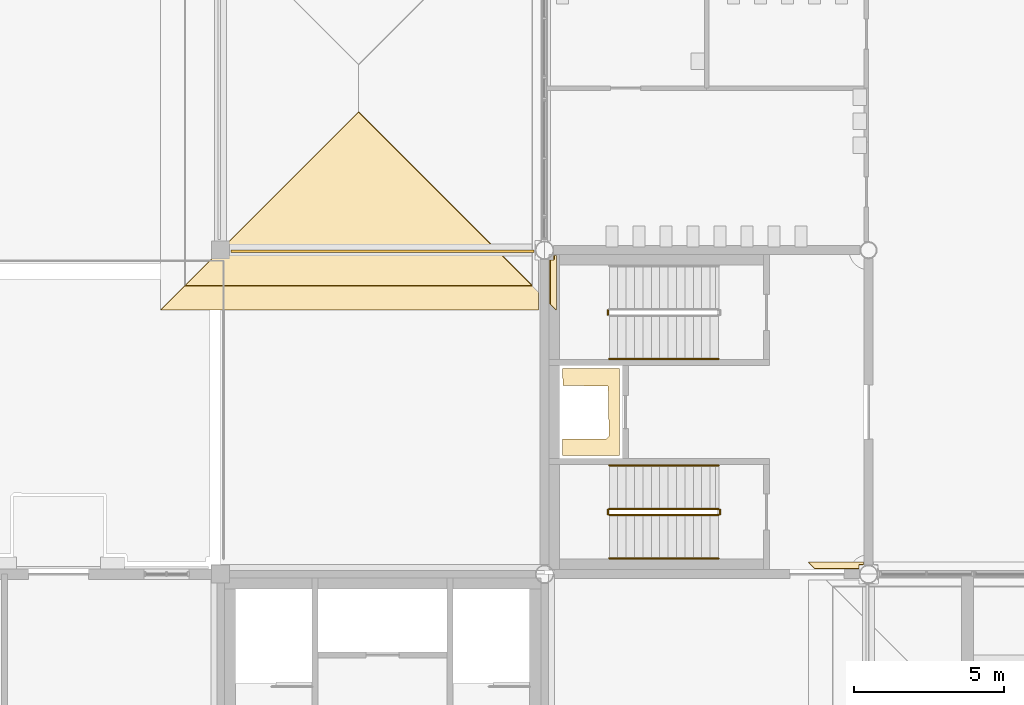
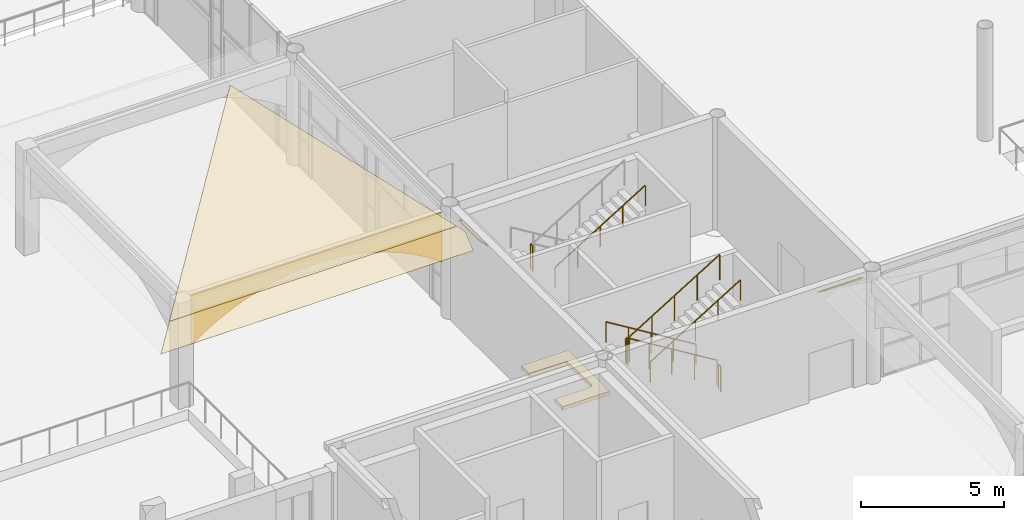
# One storey, part 78 of 91: 8 railings, 6 coverings.
"""IFC4 building model written with IfcOpenShell, lengths in metres."""

import ifcopenshell
import ifcopenshell.guid

model = None  # the IFC model being written
_history = None  # IfcOwnerHistory: only IFC2X3 demands one
_inside = {}  # id of a spatial element -> (the spatial element, [elements in it])
_under = {}  # id of a project, library or spatial element -> (it, [spatial elements below it])
_declared = {}  # id of a project -> (the project, [libraries it declares])
_typed = {}  # id of a type object -> (the type object, [elements of that type])
_made_of = {}  # id of a material, layer set ... -> (it, [elements and type objects made of it])


def new_model(schema):
    """Start an empty IFC model of exactly this schema.

    Asked for "IFC4X3", IfcOpenShell would pick the latest addendum, in which some entities
    have other attributes; the version numbers below select the first issue.
    IFC2X3 requires an IfcOwnerHistory on every rooted entity: one is made here for all.
    """
    global model, _history
    if schema == "IFC4X3":
        model = ifcopenshell.file(schema_version=(4, 3, 0, 0))
    else:
        model = ifcopenshell.file(schema=schema)
    _inside.clear()
    _under.clear()
    _declared.clear()
    _typed.clear()
    _made_of.clear()
    _history = None
    if model.schema == "IFC2X3":
        org = make("IfcOrganization", Name="unknown")
        user = make(
            "IfcPersonAndOrganization",
            ThePerson=make("IfcPerson", FamilyName="unknown"),
            TheOrganization=org,
        )
        app = make(
            "IfcApplication",
            ApplicationDeveloper=org,
            Version="unknown",
            ApplicationFullName="unknown",
            ApplicationIdentifier="unknown",
        )
        _history = make(
            "IfcOwnerHistory",
            OwningUser=user,
            OwningApplication=app,
            ChangeAction="ADDED",
            CreationDate=0,
        )
    return model


def make(cls, **values):
    """One entity of the class cls with the attributes given. An attribute that is None is left unset."""
    return model.create_entity(
        cls, **{name: value for name, value in values.items() if value is not None}
    )


def rooted(cls, **values):
    """An entity with a GlobalId (a new one), such as an element, a storey or a relation."""
    return make(cls, GlobalId=ifcopenshell.guid.new(), OwnerHistory=_history, **values)


def si_unit(unit_type, name, prefix=None):
    """IfcSIUnit, for example si_unit("LENGTHUNIT", "METRE", prefix="MILLI")."""
    return make("IfcSIUnit", UnitType=unit_type, Prefix=prefix, Name=name)


def assignment(units):
    """IfcUnitAssignment: the units of a project."""
    return None if units is None else make("IfcUnitAssignment", Units=units)


def point(xyz):
    """IfcCartesianPoint."""
    return None if xyz is None else make("IfcCartesianPoint", Coordinates=xyz)


def direction(xyz):
    """IfcDirection."""
    return None if xyz is None else make("IfcDirection", DirectionRatios=xyz)


def frame(location, z_axis=None, x_axis=None):
    """IfcAxis2Placement3D, a coordinate frame: its origin and axes. An axis left out is left unset."""
    return make(
        "IfcAxis2Placement3D",
        Location=point(location),
        Axis=direction(z_axis),
        RefDirection=direction(x_axis),
    )


def frame_2d(location, x_axis=None):
    """IfcAxis2Placement2D, a coordinate frame in the plane: its origin and x axis."""
    return make(
        "IfcAxis2Placement2D", Location=point(location), RefDirection=direction(x_axis)
    )


def origin():
    """The frame at (0, 0, 0) with its axes left unset."""
    return frame((0.0, 0.0, 0.0))


def origin_2d():
    """The frame at (0, 0) in the plane with its x axis left unset."""
    return frame_2d((0.0, 0.0))


def place(relative_to, where):
    """IfcLocalPlacement: puts the frame where relative to a parent placement (None: the world)."""
    return make(
        "IfcLocalPlacement", PlacementRelTo=relative_to, RelativePlacement=where
    )


def context(
    kind, dimensions, precision=None, world=None, true_north=None, identifier=None
):
    """IfcGeometricRepresentationContext, for example the 3D "Model" context."""
    return make(
        "IfcGeometricRepresentationContext",
        ContextIdentifier=identifier,
        ContextType=kind,
        CoordinateSpaceDimension=dimensions,
        Precision=precision,
        WorldCoordinateSystem=world,
        TrueNorth=true_north,
    )


def subcontext(parent, identifier, kind, view, scale=None):
    """IfcGeometricRepresentationSubContext, for example "Body" below "Model"."""
    return make(
        "IfcGeometricRepresentationSubContext",
        ContextIdentifier=identifier,
        ContextType=kind,
        ParentContext=parent,
        TargetScale=scale,
        TargetView=view,
    )


def project(units=None, contexts=None):
    """IfcProject with its units and contexts."""
    return rooted(
        "IfcProject",
        Name="project",
        RepresentationContexts=contexts,
        UnitsInContext=assignment(units),
    )


def spatial(cls, under=None, at=None, **own):
    """A site, building, storey or space (cls), placed at a placement, below another one or the project."""
    s = rooted(cls, ObjectPlacement=at, **own)
    if under is not None:
        _under.setdefault(under.id(), (under, []))[1].append(s)
    return s


def polyline(points):
    """IfcPolyline through the points."""
    return make("IfcPolyline", Points=[point(p) for p in points])


def profile(cls, at=None, kind="AREA", **sizes):
    """A parametric profile (cls). Its sizes go by their IFC names, for example OverallWidth=200.0."""
    return make(cls, ProfileType=kind, Position=at, **sizes)


def circle(**sizes):
    """IfcCircleProfileDef."""
    return profile("IfcCircleProfileDef", **sizes)


def outline(outer, holes=None, kind="AREA"):
    """IfcArbitraryClosedProfileDef: a profile drawn as a closed curve; with holes, ...WithVoids."""
    if holes is None:
        return make("IfcArbitraryClosedProfileDef", ProfileType=kind, OuterCurve=outer)
    return make(
        "IfcArbitraryProfileDefWithVoids",
        ProfileType=kind,
        OuterCurve=outer,
        InnerCurves=holes,
    )


def extrude(swept, where, along, depth):
    """IfcExtrudedAreaSolid: the profile swept, set in the frame where, extruded along a direction by depth."""
    return make(
        "IfcExtrudedAreaSolid",
        SweptArea=swept,
        Position=where,
        ExtrudedDirection=direction(along),
        Depth=depth,
    )


def shape(context_of_items, identifier, shape_type, items):
    """IfcShapeRepresentation: the items that make up one representation, for example the "Body"."""
    return make(
        "IfcShapeRepresentation",
        ContextOfItems=context_of_items,
        RepresentationIdentifier=identifier,
        RepresentationType=shape_type,
        Items=items,
    )


def material(Name=None, Category=None):
    """IfcMaterial."""
    return make("IfcMaterial", Name=Name, Category=Category)


def layer(
    of_material, thickness, ventilated=None, Name=None, Category=None, Priority=None
):
    """IfcMaterialLayer: one layer of a wall or slab, of a material (None: an air gap)."""
    return make(
        "IfcMaterialLayer",
        Material=of_material,
        LayerThickness=thickness,
        IsVentilated=ventilated,
        Name=Name,
        Category=Category,
        Priority=Priority,
    )


def layer_set(layers, Name=None):
    """IfcMaterialLayerSet."""
    return make("IfcMaterialLayerSet", MaterialLayers=layers, LayerSetName=Name)


def made_of(thing, what):
    """Note that an element or type object is made of a material, layer set ...; save() writes the relation."""
    if what is not None:
        _made_of.setdefault(what.id(), (what, []))[1].append(thing)
    return thing


def type_object(cls, material=None, **own):
    """A type object (cls), such as IfcWallType, which elements share."""
    return made_of(rooted(cls, **own), material)


def element(
    cls,
    number,
    at=None,
    inside=None,
    cuts=None,
    type_object=None,
    material=None,
    context=None,
    identifier="Body",
    shape_type=None,
    held_by="IfcProductDefinitionShape",
    body=None,
    shapes=None,
    **own,
):
    """One element of the class cls, such as IfcWall. Its Tag is "e" and its number.

    at: its placement. inside: the storey or other place that contains it. cuts: it is an
    opening in that element (IfcRelVoidsElement). A single representation is given by context,
    identifier, shape_type and body (its items); several are given by shapes. held_by: the class
    of the entity that holds the representations. save() writes the other relations.
    """
    e = rooted(cls, Tag="e%d" % number, ObjectPlacement=at, **own)
    if body is not None:
        shapes = [shape(context, identifier, shape_type, body)]
    if shapes is not None:
        e.Representation = make(held_by, Representations=shapes)
    if inside is not None:
        _inside.setdefault(inside.id(), (inside, []))[1].append(e)
    if cuts is not None:
        rooted(
            "IfcRelVoidsElement", RelatingBuildingElement=cuts, RelatedOpeningElement=e
        )
    if type_object is not None:
        _typed.setdefault(type_object.id(), (type_object, []))[1].append(e)
    return made_of(e, material)


def aggregate(whole, parts):
    """IfcRelAggregates: a whole, such as a stair, and the parts it consists of."""
    return rooted("IfcRelAggregates", RelatingObject=whole, RelatedObjects=parts)


def save(model, path):
    """Write the relations noted so far, then the file.

    IfcRelAggregates (storeys below a building ...), IfcRelContainedInSpatialStructure (elements
    in a storey), IfcRelDefinesByType, IfcRelAssociatesMaterial and IfcRelDeclares: one each for
    every whole, place, type object, material and project.
    """
    for whole, parts in _under.values():
        aggregate(whole, parts)
    for where, things in _inside.values():
        rooted(
            "IfcRelContainedInSpatialStructure",
            RelatedElements=things,
            RelatingStructure=where,
        )
    for kind, things in _typed.values():
        rooted("IfcRelDefinesByType", RelatedObjects=things, RelatingType=kind)
    for what, things in _made_of.values():
        rooted("IfcRelAssociatesMaterial", RelatedObjects=things, RelatingMaterial=what)
    for by, libraries in _declared.values():
        rooted("IfcRelDeclares", RelatingContext=by, RelatedDefinitions=libraries)
    model.write(path)


model = new_model("IFC4")

# Units and contexts
model_context = context("Model", 3, precision=1e-05, world=origin(), true_north=direction((0.0, 1.0)))
body_context = subcontext(model_context, "Body", "Model", "MODEL_VIEW")
ifc_project = project(units=[si_unit("LENGTHUNIT", "METRE"), si_unit("AREAUNIT", "SQUARE_METRE"), si_unit("VOLUMEUNIT", "CUBIC_METRE"), si_unit("PLANEANGLEUNIT", "RADIAN"), si_unit("MASSUNIT", "GRAM", prefix="KILO")], contexts=[model_context])

# Site, building, storey
site_placement = place(None, origin())
site = spatial("IfcSite", under=ifc_project, at=site_placement, CompositionType="ELEMENT")
building_placement = place(site_placement, origin())
building = spatial("IfcBuilding", under=site, at=building_placement, Name="Magnolia Steps Interchange", CompositionType="ELEMENT")
storey_placement = place(building_placement, origin())
storey = spatial("IfcBuildingStorey", under=building, at=storey_placement, Name="L00", CompositionType="ELEMENT", Elevation=0.0)

# Coverings
ifc_material_1 = material(Name="Clay pantile")
ifc_layer_1 = layer(ifc_material_1, 0.0400390625)
ifc_layer_set_1 = layer_set([ifc_layer_1], Name="Clay pantile roofing")
covering_type_1 = type_object("IfcCoveringType", Name="Clay pantile roofing", PredefinedType="ROOFING", material=ifc_layer_set_1)
covering_1_placement = place(storey_placement, frame((41.199951171875, 52.0, 4.628662109375), z_axis=(0.0, -0.615661421178, 0.788010795912), x_axis=(1.0, 0.0, 0.0)))
element("IfcCovering", 1, at=covering_1_placement, inside=storey, type_object=covering_type_1, Name="Clay pantile roof PT-W2 3", PredefinedType="ROOFING", context=body_context, shape_type="SweptSolid", body=[
    extrude(outline(polyline([(0.0, 0.0), (11.600097656, 0.0), (5.800048828, 7.360367216), (0.0, 0.0)])), origin(), (0.0, 0.0, -1.0), 0.0400390625),
])
covering_2_placement = place(storey_placement, frame((63.830078125, 42.800048828125, 4.190185546875), z_axis=(-1.0704536e-05, 0.500806799112, 0.865559096682), x_axis=(9.708e-09, -0.865559096731, 0.500806799141)))
element("IfcCovering", 2, at=covering_2_placement, inside=storey, type_object=covering_type_1, Name="Clay pantile eave Portico roof slab PT-S2 2 2", PredefinedType="ROOFING", context=body_context, shape_type="SweptSolid", body=[
    extrude(outline(polyline([(0.0, 0.0), (0.086638245, 0.0), (0.095056332, -0.150634767), (0.236929136, -0.155029299), (0.236929121, -1.625000002), (-1.8e-08, -1.830078125), (0.0, 0.0)])), origin(), (0.0, 0.0, -1.0), 0.0400390625),
])
covering_3_placement = place(storey_placement, frame((53.5087890625, 52.87548828125, 4.07470703125), z_axis=(0.616059756695, 3.8479207e-05, 0.787699419005), x_axis=(0.596252068925, 0.653445615461, -0.466360695104)))
element("IfcCovering", 3, at=covering_3_placement, inside=storey, type_object=covering_type_1, Name="Clay pantile eave Portico roof slab PT-W2 1 2", PredefinedType="ROOFING", context=body_context, shape_type="SweptSolid", body=[
    extrude(outline(polyline([(0.0, 0.0), (0.026900663, 0.0), (0.116512321, 0.103578998), (0.188673504, 0.041286966), (-1.007183023, -1.344033613), (-1.070258315, -1.018666332), (-0.109712405, 0.094062484), (0.0, 0.0)])), origin(), (0.0, 0.0, -1.0), 0.0400390625),
])
covering_4_placement = place(storey_placement, frame((52.800048828125, 52.0, 4.628662109375), z_axis=(-3.682486e-06, -0.615770599554, 0.787925484238), x_axis=(0.61854306571, -0.619114560466, -0.483840507689)))
element("IfcCovering", 4, at=covering_4_placement, inside=storey, type_object=covering_type_1, Name="Clay pantile eave Portico roof slab PT-W2 3 1", PredefinedType="ROOFING", context=body_context, shape_type="SweptSolid", body=[
    extrude(outline(polyline([(0.0, 0.0), (0.331155575, 0.0), (0.924538962, -0.46711137), (-6.872184301, -10.37148611), (-7.175159967, -9.114787166), (0.0, 0.0)])), origin(), (0.0, 0.0, -1.0), 0.0400390625),
])
ifc_material_2 = material(Name="Lime render")
ifc_layer_2 = layer(ifc_material_2, 0.080078125)
ifc_layer_set_2 = layer_set([ifc_layer_2], Name="Lime render arch infill")
covering_type_2 = type_object("IfcCoveringType", Name="Lime render arch infill", PredefinedType="CLADDING", material=ifc_layer_set_2)
covering_5_placement = place(storey_placement, frame((42.75, 53.199951171875, 2.39990234375), z_axis=(0.0, 1.0, 0.0), x_axis=(0.0, 0.0, 1.0)))
element("IfcCovering", 5, at=covering_5_placement, inside=storey, type_object=covering_type_2, Name="Portico arch PT-W2 S", PredefinedType="CLADDING", context=body_context, shape_type="SweptSolid", body=[
    extrude(outline(polyline([(0.0, 0.0), (2.100097656, 0.0), (2.100097656, 10.100097656), (0.0, 10.100097656), (0.391113281, 9.538818359), (0.71875, 8.977783203), (0.991455078, 8.416748047), (1.214599609, 7.855712891), (1.392822266, 7.294433594), (1.528808594, 6.733398438), (1.624511719, 6.172119141), (1.681152344, 5.611083984), (1.700195312, 5.050048828), (1.681152344, 4.489013672), (1.624511719, 3.927734375), (1.528808594, 3.366699219), (1.392822266, 2.805664062), (1.214599609, 2.244384766), (0.991455078, 1.683349609), (0.71875, 1.122314453), (0.391113281, 0.561035156), (0.0, 0.0)])), origin(), (0.0, 0.0, -1.0), 0.080078125),
])

# Railings
ifc_material_3 = material(Name="Stainless steel grade 304", Category="steel")
railing_type_1 = type_object("IfcRailingType", Name="Stair guard 1100", PredefinedType="GUARDRAIL", material=ifc_material_3)
railing_1_placement = place(storey_placement, frame((59.0, 44.573974609375, 0.17138671875)))
element("IfcRailing", 6, at=railing_1_placement, inside=storey, type_object=railing_type_1, Name="L00 ST5 stair guard 1", PredefinedType="GUARDRAIL", context=body_context, shape_type="SweptSolid", body=[
    extrude(circle(Radius=0.02392578125, at=origin_2d()), frame((0.0, 0.0, 1.076171875), z_axis=(-0.852850264322, 0.0, 0.5221555579), x_axis=(0.0, -1.0, 0.0)), (0.0, 0.0, 1.0), 4.267822265625),
    extrude(circle(Radius=0.02099609375, at=origin_2d()), origin(), (0.0, 0.0, 1.0), 1.052001953125),
    extrude(circle(Radius=0.02099609375, at=origin_2d()), frame((-0.909912109375, 0.0, 0.55712890625)), (0.0, 0.0, 1.0), 1.052001953125),
    extrude(circle(Radius=0.02099609375, at=origin_2d()), frame((-1.81982421875, 0.0, 1.1142578125)), (0.0, 0.0, 1.0), 1.052001953125),
    extrude(circle(Radius=0.02099609375, at=origin_2d()), frame((-2.72998046875, 0.0, 1.67138671875)), (0.0, 0.0, 1.0), 1.052001953125),
    extrude(circle(Radius=0.02099609375, at=origin_2d()), frame((-3.639892578125, 0.0, 2.228515625)), (0.0, 0.0, 1.0), 1.052001953125),
])
railing_2_placement = place(storey_placement, frame((55.31005859375, 44.550048828125, 2.39990234375)))
element("IfcRailing", 7, at=railing_2_placement, inside=storey, type_object=railing_type_1, Name="L00 ST5 stair guard 2", PredefinedType="GUARDRAIL", context=body_context, shape_type="SweptSolid", body=[
    extrude(circle(Radius=0.02392578125, at=origin_2d()), frame((0.0, 0.0, 1.076171875), z_axis=(0.0, -1.0, 0.0), x_axis=(1.0, 0.0, 0.0)), (0.0, 0.0, 1.0), 0.150146484375),
    extrude(circle(Radius=0.02099609375, at=origin_2d()), origin(), (0.0, 0.0, 1.0), 1.052001953125),
    extrude(circle(Radius=0.02099609375, at=origin_2d()), frame((0.0, -0.150146484375, 0.0)), (0.0, 0.0, 1.0), 1.052001953125),
])
railing_3_placement = place(storey_placement, frame((55.360107421875, 44.3759765625, 2.571533203125)))
element("IfcRailing", 8, at=railing_3_placement, inside=storey, type_object=railing_type_1, Name="L00 ST5 stair guard 3", PredefinedType="GUARDRAIL", context=body_context, shape_type="SweptSolid", body=[
    extrude(circle(Radius=0.02392578125, at=origin_2d()), frame((0.0, 0.0, 1.076171875), z_axis=(0.852850264322, 0.0, 0.5221555579), x_axis=(0.0, 1.0, 0.0)), (0.0, 0.0, 1.0), 4.267822265625),
    extrude(circle(Radius=0.02099609375, at=origin_2d()), origin(), (0.0, 0.0, 1.0), 1.052001953125),
    extrude(circle(Radius=0.02099609375, at=origin_2d()), frame((0.909912109375, 0.0, 0.55712890625)), (0.0, 0.0, 1.0), 1.052001953125),
    extrude(circle(Radius=0.02099609375, at=origin_2d()), frame((1.81982421875, 0.0, 1.1142578125)), (0.0, 0.0, 1.0), 1.052001953125),
    extrude(circle(Radius=0.02099609375, at=origin_2d()), frame((2.72998046875, 0.0, 1.67138671875)), (0.0, 0.0, 1.0), 1.052001953125),
    extrude(circle(Radius=0.02099609375, at=origin_2d()), frame((3.639892578125, 0.0, 2.228515625)), (0.0, 0.0, 1.0), 1.052001953125),
])
railing_4_placement = place(storey_placement, frame((59.050048828125, 44.550048828125, 0.0)))
element("IfcRailing", 9, at=railing_4_placement, inside=storey, type_object=railing_type_1, Name="L00 ST5 stair guard 4", PredefinedType="GUARDRAIL", context=body_context, shape_type="SweptSolid", body=[
    extrude(circle(Radius=0.02392578125, at=origin_2d()), frame((0.0, 0.0, 1.076171875), z_axis=(0.0, -1.0, 0.0), x_axis=(1.0, 0.0, 0.0)), (0.0, 0.0, 1.0), 0.150146484375),
    extrude(circle(Radius=0.02099609375, at=origin_2d()), origin(), (0.0, 0.0, 1.0), 1.052001953125),
    extrude(circle(Radius=0.02099609375, at=origin_2d()), frame((0.0, -0.150146484375, 0.0)), (0.0, 0.0, 1.0), 1.052001953125),
])
railing_5_placement = place(storey_placement, frame((55.31005859375, 51.199951171875, 2.39990234375)))
element("IfcRailing", 10, at=railing_5_placement, inside=storey, type_object=railing_type_1, Name="L00 ST6 stair guard 2", PredefinedType="GUARDRAIL", context=body_context, shape_type="SweptSolid", body=[
    extrude(circle(Radius=0.02392578125, at=origin_2d()), frame((0.0, 0.0, 1.076171875), z_axis=(0.0, -1.0, 0.0), x_axis=(1.0, 0.0, 0.0)), (0.0, 0.0, 1.0), 0.14990234375),
    extrude(circle(Radius=0.02099609375, at=origin_2d()), origin(), (0.0, 0.0, 1.0), 1.052001953125),
    extrude(circle(Radius=0.02099609375, at=origin_2d()), frame((0.0, -0.14990234375, 0.0)), (0.0, 0.0, 1.0), 1.052001953125),
])
ifc_material_4 = material(Name="Stainless steel grade 304", Category="steel")
railing_type_2 = type_object("IfcRailingType", Name="Stair handrail 900", PredefinedType="HANDRAIL", material=ifc_material_4)
railing_6_placement = place(storey_placement, frame((59.0, 46.02587890625, 0.17138671875)))
element("IfcRailing", 11, at=railing_6_placement, inside=storey, type_object=railing_type_2, Name="L00 ST5 stair handrail 1", PredefinedType="HANDRAIL", context=body_context, shape_type="SweptSolid", body=[
    extrude(circle(Radius=0.02392578125, at=origin_2d()), frame((0.0, 0.0, 0.8759765625), z_axis=(-0.852850264322, 0.0, 0.5221555579), x_axis=(0.0, -1.0, 0.0)), (0.0, 0.0, 1.0), 4.267822265625),
    extrude(circle(Radius=0.02099609375, at=origin_2d()), origin(), (0.0, 0.0, 1.0), 0.851806640625),
    extrude(circle(Radius=0.02099609375, at=origin_2d()), frame((-0.909912109375, 0.0, 0.55712890625)), (0.0, 0.0, 1.0), 0.851806640625),
    extrude(circle(Radius=0.02099609375, at=origin_2d()), frame((-1.81982421875, 0.0, 1.1142578125)), (0.0, 0.0, 1.0), 0.851806640625),
    extrude(circle(Radius=0.02099609375, at=origin_2d()), frame((-2.72998046875, 0.0, 1.67138671875)), (0.0, 0.0, 1.0), 0.851806640625),
    extrude(circle(Radius=0.02099609375, at=origin_2d()), frame((-3.639892578125, 0.0, 2.228515625)), (0.0, 0.0, 1.0), 0.851806640625),
])
for number, where, name in (
    (12, (55.360107421875, 42.924072265625, 2.571533203125), "L00 ST5 stair handrail 2"),
    (13, (55.360107421875, 49.573974609375, 2.571533203125), "L00 ST6 stair handrail 2"),
):
    element("IfcRailing", number, at=place(storey_placement, frame(where)), inside=storey, type_object=railing_type_2, Name=name, PredefinedType="HANDRAIL", context=body_context, shape_type="SweptSolid", body=[
        extrude(circle(Radius=0.02392578125, at=origin_2d()), frame((0.0, 0.0, 0.8759765625), z_axis=(0.852850264322, 0.0, 0.5221555579), x_axis=(0.0, 1.0, 0.0)), (0.0, 0.0, 1.0), 4.267822265625),
        extrude(circle(Radius=0.02099609375, at=origin_2d()), origin(), (0.0, 0.0, 1.0), 0.851806640625),
        extrude(circle(Radius=0.02099609375, at=origin_2d()), frame((0.909912109375, 0.0, 0.55712890625)), (0.0, 0.0, 1.0), 0.851806640625),
        extrude(circle(Radius=0.02099609375, at=origin_2d()), frame((1.81982421875, 0.0, 1.1142578125)), (0.0, 0.0, 1.0), 0.851806640625),
        extrude(circle(Radius=0.02099609375, at=origin_2d()), frame((2.72998046875, 0.0, 1.67138671875)), (0.0, 0.0, 1.0), 0.851806640625),
        extrude(circle(Radius=0.02099609375, at=origin_2d()), frame((3.639892578125, 0.0, 2.228515625)), (0.0, 0.0, 1.0), 0.851806640625),
    ])

# Covering
ifc_material_5 = material(Name="Natural stone paving", Category="masonry")
ifc_layer_3 = layer(ifc_material_5, 0.14990234375)
ifc_layer_set_3 = layer_set([ifc_layer_3], Name="Stone paving 150")
covering_type_3 = type_object("IfcCoveringType", Name="Stone paving 150", PredefinedType="FLOORING", material=ifc_layer_set_3)
covering_6_placement = place(storey_placement, frame((0.0, 0.0, -0.14990234375)))
element("IfcCovering", 14, at=covering_6_placement, inside=storey, type_object=covering_type_3, Name="Court paving west 2", PredefinedType="FLOORING", context=body_context, shape_type="SweptSolid", body=[
    extrude(outline(polyline([(55.699951171875, 49.25), (55.699951171875, 46.35009765625), (53.800048828125, 46.35009765625), (53.800048828125, 46.91357421875), (55.259765625, 46.900390625), (55.35009765625, 47.0), (55.32080078125, 48.670654296875), (53.811767578125, 48.6923828125), (53.800048828125, 49.25), (55.699951171875, 49.25)])), origin(), (0.0, 0.0, 1.0), 0.14990234375),
])

save(model, "model.ifc")
